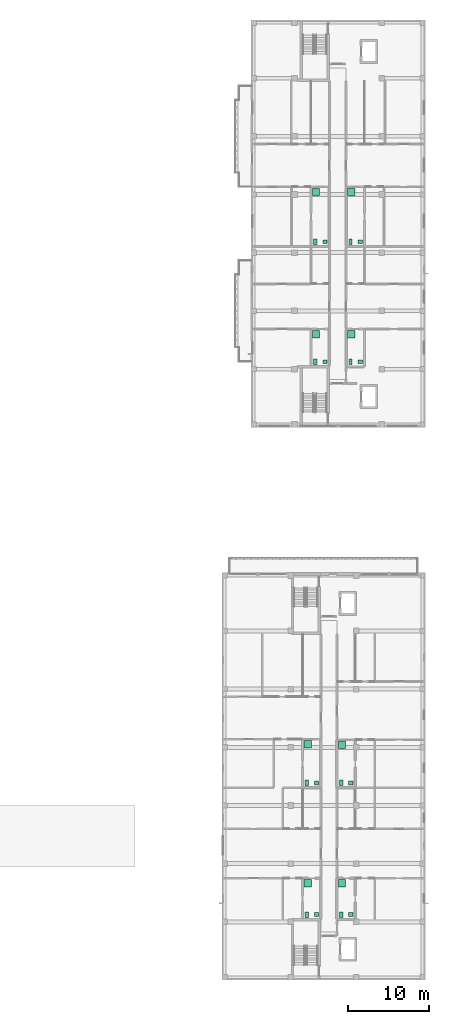
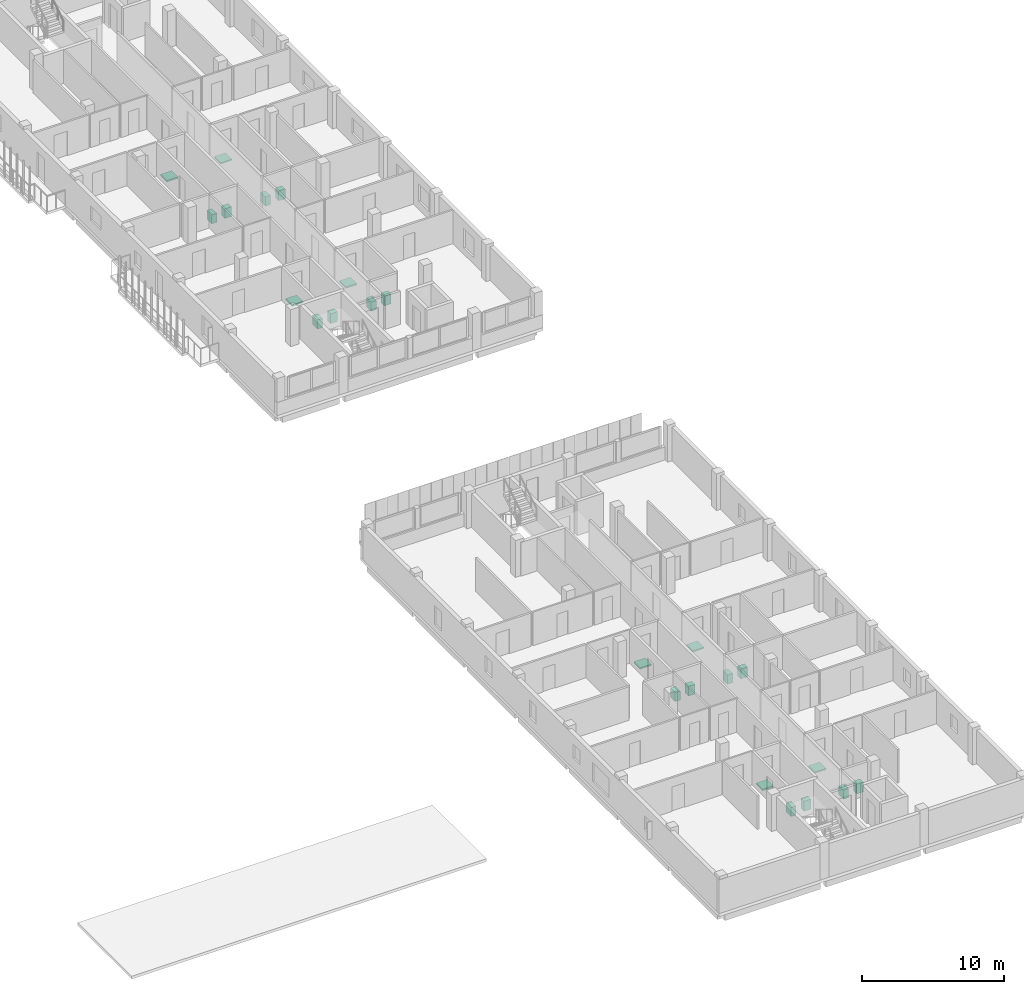
# One storey, part 51 of 51: 24 sanitary terminals.
"""IFC4 building model written with IfcOpenShell, lengths in metres."""

from ifc_helpers import new_model, si_unit, derived_unit, direction, frame, origin, origin_2d, place, context, subcontext, project, spatial, rectangle, extrude, material, type_object, element, save


model = new_model("IFC4")

# Units and contexts
model_context = context("Model", 3, precision=1e-05, world=origin(), true_north=direction((0.0, 1.0)))
body_context = subcontext(model_context, "Body", "Model", "MODEL_VIEW")
ifc_project = project(units=[si_unit("LENGTHUNIT", "METRE"), si_unit("AREAUNIT", "SQUARE_METRE"), si_unit("VOLUMEUNIT", "CUBIC_METRE"), si_unit("PLANEANGLEUNIT", "RADIAN"), si_unit("MASSUNIT", "GRAM", prefix="KILO"), derived_unit("THERMALTRANSMITTANCEUNIT", [(si_unit("MASSUNIT", "GRAM", prefix="KILO"), 1), (si_unit("TIMEUNIT", "SECOND"), -3), (si_unit("THERMODYNAMICTEMPERATUREUNIT", "KELVIN"), -1)])], contexts=[model_context])

# Site, building, storey
site_placement = place(None, origin())
site = spatial("IfcSite", under=ifc_project, at=site_placement, CompositionType="ELEMENT")
building_placement = place(site_placement, origin())
building = spatial("IfcBuilding", under=site, at=building_placement, Name="Ochrekiln Boulevard Commons", CompositionType="ELEMENT")
storey_placement = place(building_placement, frame((0.0, 0.0, 15.22509765625)))
storey = spatial("IfcBuildingStorey", under=building, at=storey_placement, Name="L04", CompositionType="ELEMENT", Elevation=15.22509765625)

# Sanitary terminals
ifc_material = material(Name="Vitreous china sanitaryware")
sanitary_terminal_type_1 = type_object("IfcSanitaryTerminalType", Name="SAN-BAS", PredefinedType="WASHHANDBASIN", material=ifc_material)
for number, where, z_axis, x_axis, name in (
    (1, (160.3701171875, 76.5, 0.0), (0.0, 0.0, 1.0), (1.0, 0.0, 0.0), "L04 Washhand Basin Fixture"),
    (2, (160.3701171875, 91.3740234375, 0.0), (0.0, 0.0, 1.0), (1.0, 0.0, 0.0), "L04 Washhand Basin Fixture"),
    (3, (164.72998046875, 76.5, 0.0), (0.0, 0.0, 1.0), (1.0, 0.0, 0.0), "L04 Washhand Basin Fixture"),
    (4, (164.72998046875, 91.3740234375, 0.0), (0.0, 0.0, 1.0), (1.0, 0.0, 0.0), "L04 Washhand Basin Fixture"),
    (5, (159.320068359375, 8.10009765625, 0.0), (0.0, 0.0, 1.0), (1.0, 0.0, 0.0), "L04 Washhand Basin Fixture"),
    (6, (159.320068359375, 24.382080078125, 0.0), (0.0, 0.0, 1.0), (1.0, 0.0, 0.0), "L04 Washhand Basin Fixture"),
    (7, (163.580078125, 8.10009765625, 0.0), (0.0, 0.0, 1.0), (1.0, 0.0, 0.0), "L04 Washhand Basin Fixture"),
    (8, (163.580078125, 24.382080078125, 0.0), (0.0, 0.0, 1.0), (1.0, 0.0, 0.0), "L04 Washhand Basin Fixture"),
):
    element("IfcSanitaryTerminal", number, at=place(storey_placement, frame(where, z_axis=z_axis, x_axis=x_axis)), inside=storey, type_object=sanitary_terminal_type_1, Name=name, PredefinedType="WASHHANDBASIN", context=body_context, shape_type="SweptSolid", body=[
        extrude(rectangle(XDim=0.550048828125, YDim=0.4599609375, at=origin_2d()), origin(), (0.0, 0.0, 1.0), 0.840087890625),
    ])
sanitary_terminal_type_2 = type_object("IfcSanitaryTerminalType", Name="SAN-SHW", PredefinedType="SHOWER", material=ifc_material)
for number, where, z_axis, x_axis, name in (
    (9, (159.27001953125, 79.925048828125, -0.000244140625), (0.0, 0.0, 1.0), (1.0, 0.0, 0.0), "L04 Shower Receptor"),
    (10, (159.27001953125, 97.52001953125, -0.000244140625), (0.0, 0.0, 1.0), (1.0, 0.0, 0.0), "L04 Shower Receptor"),
    (11, (163.6298828125, 79.925048828125, -0.000244140625), (0.0, 0.0, 1.0), (1.0, 0.0, 0.0), "L04 Shower Receptor"),
    (12, (163.6298828125, 97.52001953125, -0.000244140625), (0.0, 0.0, 1.0), (1.0, 0.0, 0.0), "L04 Shower Receptor"),
    (13, (158.219970703125, 11.9619140625, -0.000244140625), (0.0, 0.0, 1.0), (1.0, 0.0, 0.0), "L04 Shower Receptor"),
    (14, (158.219970703125, 29.162109375, -0.000244140625), (0.0, 0.0, 1.0), (1.0, 0.0, 0.0), "L04 Shower Receptor"),
    (15, (162.47998046875, 11.9619140625, -0.000244140625), (0.0, 0.0, 1.0), (1.0, 0.0, 0.0), "L04 Shower Receptor"),
    (16, (162.47998046875, 29.116943359375, -0.000244140625), (0.0, 0.0, 1.0), (1.0, 0.0, 0.0), "L04 Shower Receptor"),
):
    element("IfcSanitaryTerminal", number, at=place(storey_placement, frame(where, z_axis=z_axis, x_axis=x_axis)), inside=storey, type_object=sanitary_terminal_type_2, Name=name, PredefinedType="SHOWER", context=body_context, shape_type="SweptSolid", body=[
        extrude(rectangle(XDim=0.89990234375, YDim=0.89990234375, at=origin_2d()), origin(), (0.0, 0.0, 1.0), 0.1201171875),
    ])
sanitary_terminal_type_3 = type_object("IfcSanitaryTerminalType", Name="SAN-WC", PredefinedType="TOILETPAN", material=ifc_material)
for number, where, z_axis, x_axis, name in (
    (17, (159.169921875, 76.5, 0.0), (0.0, 0.0, 1.0), (1.0, 0.0, 0.0), "L04 Water Closet Fixture"),
    (18, (159.169921875, 91.3740234375, 0.0), (0.0, 0.0, 1.0), (1.0, 0.0, 0.0), "L04 Water Closet Fixture"),
    (19, (163.530029296875, 76.5, 0.0), (0.0, 0.0, 1.0), (1.0, 0.0, 0.0), "L04 Water Closet Fixture"),
    (20, (163.530029296875, 91.3740234375, 0.0), (0.0, 0.0, 1.0), (1.0, 0.0, 0.0), "L04 Water Closet Fixture"),
    (21, (158.1201171875, 8.10009765625, 0.0), (0.0, 0.0, 1.0), (1.0, 0.0, 0.0), "L04 Water Closet Fixture"),
    (22, (158.1201171875, 24.382080078125, 0.0), (0.0, 0.0, 1.0), (1.0, 0.0, 0.0), "L04 Water Closet Fixture"),
    (23, (162.3798828125, 8.10009765625, 0.0), (0.0, 0.0, 1.0), (1.0, 0.0, 0.0), "L04 Water Closet Fixture"),
    (24, (162.3798828125, 24.382080078125, 0.0), (0.0, 0.0, 1.0), (1.0, 0.0, 0.0), "L04 Water Closet Fixture"),
):
    element("IfcSanitaryTerminal", number, at=place(storey_placement, frame(where, z_axis=z_axis, x_axis=x_axis)), inside=storey, type_object=sanitary_terminal_type_3, Name=name, PredefinedType="TOILETPAN", context=body_context, shape_type="SweptSolid", body=[
        extrude(rectangle(XDim=0.419921875, YDim=0.679931640625, at=origin_2d()), origin(), (0.0, 0.0, 1.0), 0.780029296875),
    ])

save(model, "model.ifc")
